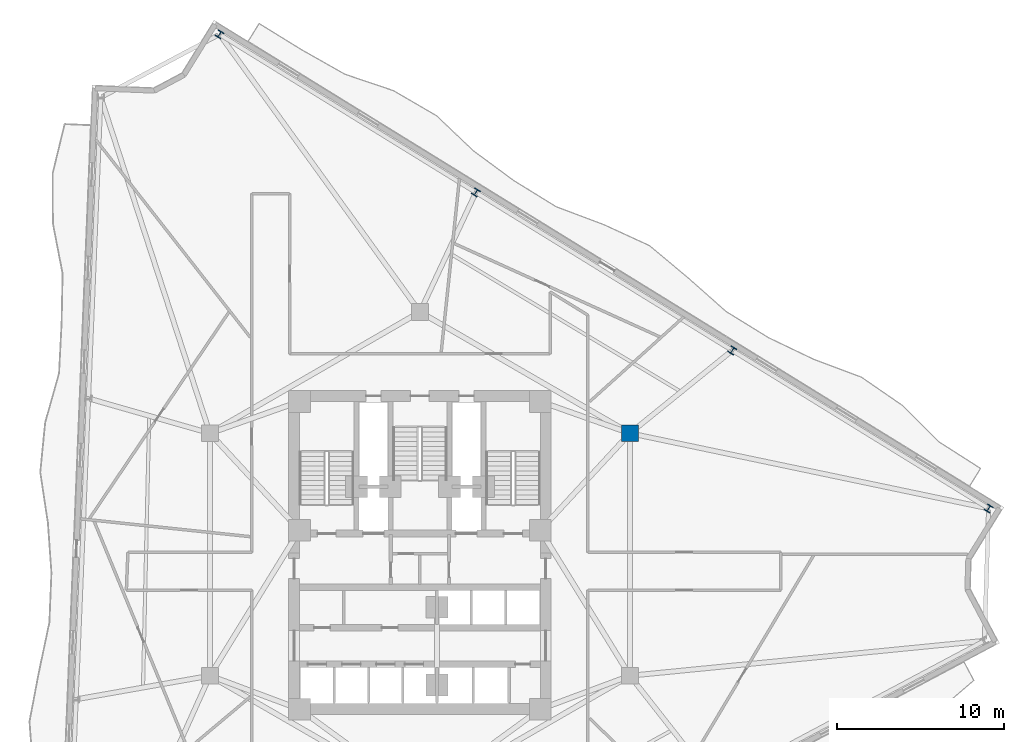
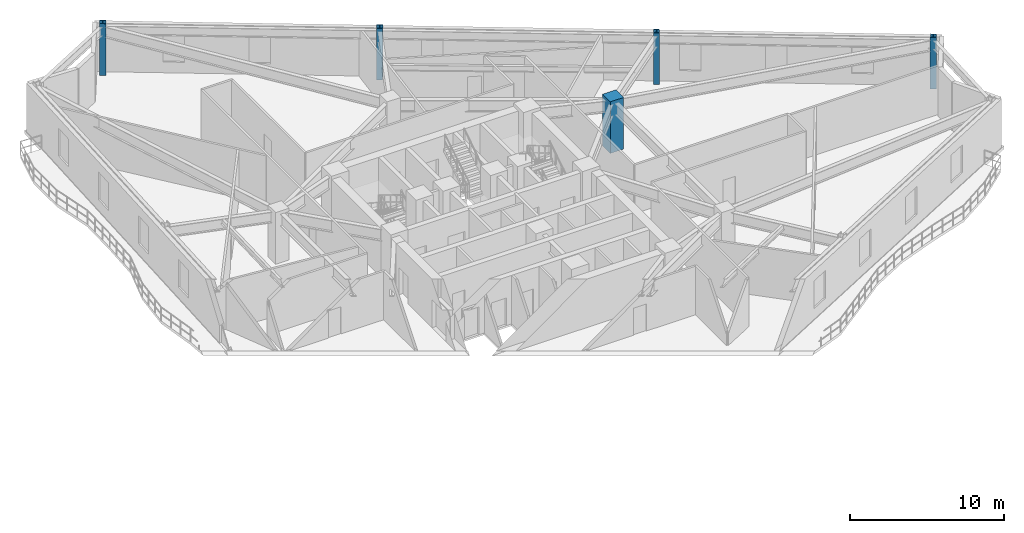
# One storey, part 2 of 12: 5 columns.
"""IFC4 building model written with IfcOpenShell, lengths in metres."""

from ifc_helpers import new_model, si_unit, direction, frame, origin, origin_2d, place, context, subcontext, project, spatial, rectangle, i_section, extrude, material, material_profile, profile_set, type_object, element, save


model = new_model("IFC4")

# Units and contexts
model_context = context("Model", 3, precision=1e-05, world=origin(), true_north=direction((0.0, 1.0)))
body_context = subcontext(model_context, "Body", "Model", "MODEL_VIEW")
ifc_project = project(units=[si_unit("LENGTHUNIT", "METRE"), si_unit("AREAUNIT", "SQUARE_METRE"), si_unit("VOLUMEUNIT", "CUBIC_METRE"), si_unit("PLANEANGLEUNIT", "RADIAN"), si_unit("MASSUNIT", "GRAM", prefix="KILO")], contexts=[model_context])

# Site, building, storey
site_placement = place(None, origin())
site = spatial("IfcSite", under=ifc_project, at=site_placement, CompositionType="ELEMENT")
building_placement = place(site_placement, origin())
building = spatial("IfcBuilding", under=site, at=building_placement, Name="Apsidion Concourse Tower", CompositionType="ELEMENT")
storey_placement = place(building_placement, frame((0.0, 0.0, 173.699951171875)))
storey = spatial("IfcBuildingStorey", under=building, at=storey_placement, Name="L40", CompositionType="ELEMENT", Elevation=173.699951171875)

# Columns
ifc_material_1 = material(Name="Concrete C50/60", Category="concrete")
ifc_material_profile_1 = material_profile(ifc_material_1, rectangle(XDim=1.0, YDim=1.0, at=origin_2d()), Name="RC 1000x1000")
ifc_profile_set_1 = profile_set([ifc_material_profile_1], Name="Concrete C50/60")
column_type_1 = type_object("IfcColumnType", Name="COL-RC-1000", PredefinedType="COLUMN", material=ifc_profile_set_1)
column_placement = place(storey_placement, frame((12.56005859375, 7.25, 0.0), z_axis=(0.0, 0.0, 1.0), x_axis=(1.0, 0.0, 0.0)))
element("IfcColumn", 1, at=column_placement, inside=storey, type_object=column_type_1, Name="L40 Interior Spine Column IC3", PredefinedType="COLUMN", context=body_context, shape_type="SweptSolid", body=[
    extrude(rectangle(XDim=1.0, YDim=1.0, at=origin_2d()), origin(), (0.0, 0.0, 1.0), 4.10009765625),
])
ifc_material_2 = material(Name="Structural steel ASTM A992 Grade 50", Category="steel")
ifc_material_profile_2 = material_profile(ifc_material_2, i_section(OverallWidth=0.406005859375, OverallDepth=0.4169921875, WebThickness=0.02978515625, FlangeThickness=0.048095703125, at=origin_2d()), Name="W14X257")
ifc_profile_set_2 = profile_set([ifc_material_profile_2], Name="Structural steel ASTM A992 Grade 50")
column_type_2 = type_object("IfcColumnType", Name="COL-W14-257", PredefinedType="COLUMN", material=ifc_profile_set_2)
for number, where, z_axis, x_axis, name in (
    (2, (34.010986328125, 2.751708984375, 0.0), (0.0, 0.0, 1.0), (-0.851269345923, 0.524728978323, 0.0), "L40 Rotated Perimeter Column PC09"),
    (3, (18.6787109375, 12.203369140625, 0.0), (0.0, 0.0, 1.0), (-0.851269345923, 0.524728978323, 0.0), "L40 Rotated Perimeter Column PC10"),
    (4, (3.346435546875, 21.655029296875, 0.0), (0.0, 0.0, 1.0), (-0.851269345923, 0.524728978323, 0.0), "L40 Rotated Perimeter Column PC11"),
    (5, (-11.98583984375, 31.106689453125, 0.0), (0.0, 0.0, 1.0), (-0.851269345923, 0.524728978323, 0.0), "L40 Rotated Perimeter Column PC12"),
):
    element("IfcColumn", number, at=place(storey_placement, frame(where, z_axis=z_axis, x_axis=x_axis)), inside=storey, type_object=column_type_2, Name=name, PredefinedType="COLUMN", context=body_context, shape_type="SweptSolid", body=[
        extrude(i_section(OverallWidth=0.406005859375, OverallDepth=0.4169921875, WebThickness=0.02978515625, FlangeThickness=0.048095703125, at=origin_2d()), origin(), (0.0, 0.0, 1.0), 4.10009765625),
    ])

save(model, "model.ifc")
